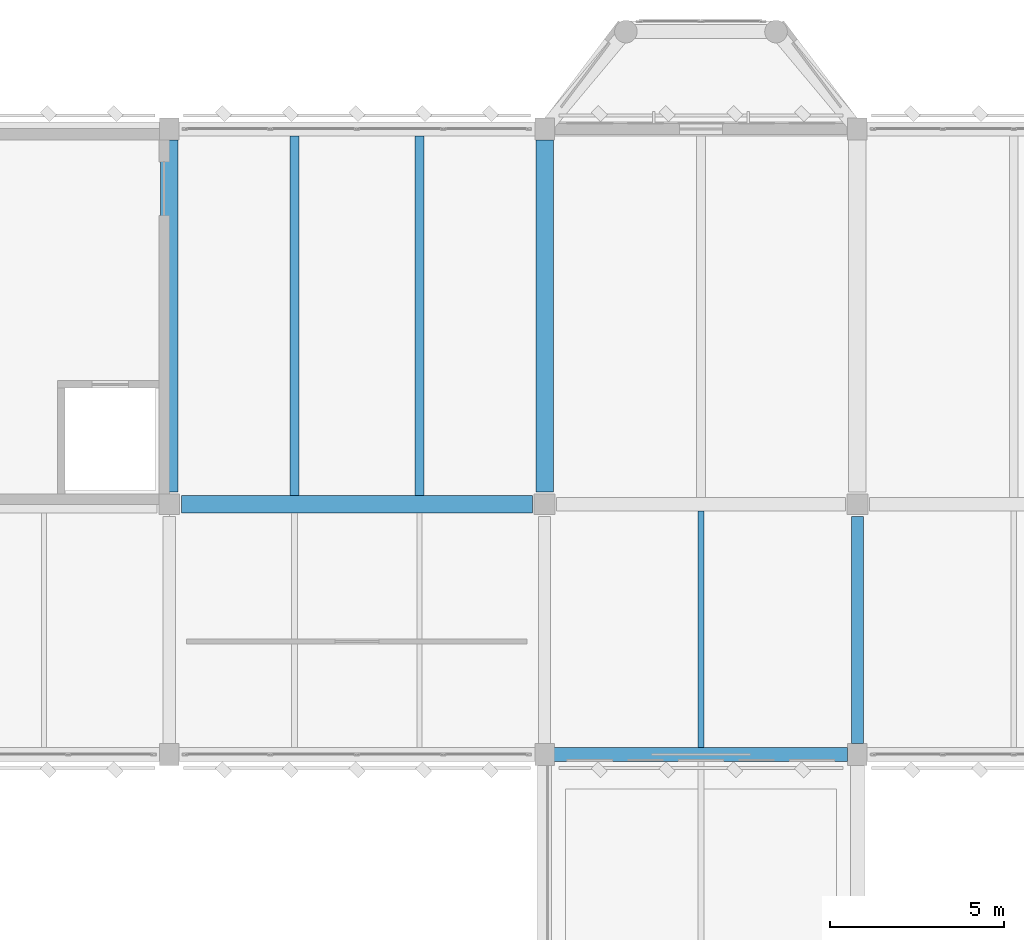
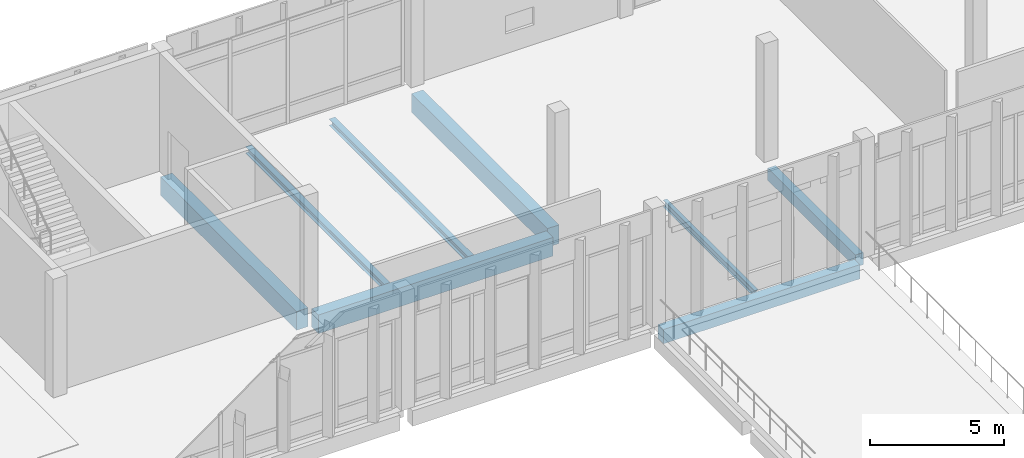
# One storey, part 82 of 180: 8 beams.
"""IFC4 building model written with IfcOpenShell, lengths in metres."""

import ifcopenshell
import ifcopenshell.guid

model = None  # the IFC model being written
_history = None  # IfcOwnerHistory: only IFC2X3 demands one
_inside = {}  # id of a spatial element -> (the spatial element, [elements in it])
_under = {}  # id of a project, library or spatial element -> (it, [spatial elements below it])
_declared = {}  # id of a project -> (the project, [libraries it declares])
_typed = {}  # id of a type object -> (the type object, [elements of that type])
_made_of = {}  # id of a material, layer set ... -> (it, [elements and type objects made of it])


def new_model(schema):
    """Start an empty IFC model of exactly this schema.

    Asked for "IFC4X3", IfcOpenShell would pick the latest addendum, in which some entities
    have other attributes; the version numbers below select the first issue.
    IFC2X3 requires an IfcOwnerHistory on every rooted entity: one is made here for all.
    """
    global model, _history
    if schema == "IFC4X3":
        model = ifcopenshell.file(schema_version=(4, 3, 0, 0))
    else:
        model = ifcopenshell.file(schema=schema)
    _inside.clear()
    _under.clear()
    _declared.clear()
    _typed.clear()
    _made_of.clear()
    _history = None
    if model.schema == "IFC2X3":
        org = make("IfcOrganization", Name="unknown")
        user = make(
            "IfcPersonAndOrganization",
            ThePerson=make("IfcPerson", FamilyName="unknown"),
            TheOrganization=org,
        )
        app = make(
            "IfcApplication",
            ApplicationDeveloper=org,
            Version="unknown",
            ApplicationFullName="unknown",
            ApplicationIdentifier="unknown",
        )
        _history = make(
            "IfcOwnerHistory",
            OwningUser=user,
            OwningApplication=app,
            ChangeAction="ADDED",
            CreationDate=0,
        )
    return model


def make(cls, **values):
    """One entity of the class cls with the attributes given. An attribute that is None is left unset."""
    return model.create_entity(
        cls, **{name: value for name, value in values.items() if value is not None}
    )


def rooted(cls, **values):
    """An entity with a GlobalId (a new one), such as an element, a storey or a relation."""
    return make(cls, GlobalId=ifcopenshell.guid.new(), OwnerHistory=_history, **values)


def si_unit(unit_type, name, prefix=None):
    """IfcSIUnit, for example si_unit("LENGTHUNIT", "METRE", prefix="MILLI")."""
    return make("IfcSIUnit", UnitType=unit_type, Prefix=prefix, Name=name)


def assignment(units):
    """IfcUnitAssignment: the units of a project."""
    return None if units is None else make("IfcUnitAssignment", Units=units)


def point(xyz):
    """IfcCartesianPoint."""
    return None if xyz is None else make("IfcCartesianPoint", Coordinates=xyz)


def direction(xyz):
    """IfcDirection."""
    return None if xyz is None else make("IfcDirection", DirectionRatios=xyz)


def frame(location, z_axis=None, x_axis=None):
    """IfcAxis2Placement3D, a coordinate frame: its origin and axes. An axis left out is left unset."""
    return make(
        "IfcAxis2Placement3D",
        Location=point(location),
        Axis=direction(z_axis),
        RefDirection=direction(x_axis),
    )


def frame_2d(location, x_axis=None):
    """IfcAxis2Placement2D, a coordinate frame in the plane: its origin and x axis."""
    return make(
        "IfcAxis2Placement2D", Location=point(location), RefDirection=direction(x_axis)
    )


def origin():
    """The frame at (0, 0, 0) with its axes left unset."""
    return frame((0.0, 0.0, 0.0))


def origin_2d():
    """The frame at (0, 0) in the plane with its x axis left unset."""
    return frame_2d((0.0, 0.0))


def place(relative_to, where):
    """IfcLocalPlacement: puts the frame where relative to a parent placement (None: the world)."""
    return make(
        "IfcLocalPlacement", PlacementRelTo=relative_to, RelativePlacement=where
    )


def context(
    kind, dimensions, precision=None, world=None, true_north=None, identifier=None
):
    """IfcGeometricRepresentationContext, for example the 3D "Model" context."""
    return make(
        "IfcGeometricRepresentationContext",
        ContextIdentifier=identifier,
        ContextType=kind,
        CoordinateSpaceDimension=dimensions,
        Precision=precision,
        WorldCoordinateSystem=world,
        TrueNorth=true_north,
    )


def subcontext(parent, identifier, kind, view, scale=None):
    """IfcGeometricRepresentationSubContext, for example "Body" below "Model"."""
    return make(
        "IfcGeometricRepresentationSubContext",
        ContextIdentifier=identifier,
        ContextType=kind,
        ParentContext=parent,
        TargetScale=scale,
        TargetView=view,
    )


def project(units=None, contexts=None):
    """IfcProject with its units and contexts."""
    return rooted(
        "IfcProject",
        Name="project",
        RepresentationContexts=contexts,
        UnitsInContext=assignment(units),
    )


def spatial(cls, under=None, at=None, **own):
    """A site, building, storey or space (cls), placed at a placement, below another one or the project."""
    s = rooted(cls, ObjectPlacement=at, **own)
    if under is not None:
        _under.setdefault(under.id(), (under, []))[1].append(s)
    return s


def profile(cls, at=None, kind="AREA", **sizes):
    """A parametric profile (cls). Its sizes go by their IFC names, for example OverallWidth=200.0."""
    return make(cls, ProfileType=kind, Position=at, **sizes)


def rectangle(**sizes):
    """IfcRectangleProfileDef."""
    return profile("IfcRectangleProfileDef", **sizes)


def i_section(**sizes):
    """IfcIShapeProfileDef."""
    return profile("IfcIShapeProfileDef", **sizes)


def extrude(swept, where, along, depth):
    """IfcExtrudedAreaSolid: the profile swept, set in the frame where, extruded along a direction by depth."""
    return make(
        "IfcExtrudedAreaSolid",
        SweptArea=swept,
        Position=where,
        ExtrudedDirection=direction(along),
        Depth=depth,
    )


def shape(context_of_items, identifier, shape_type, items):
    """IfcShapeRepresentation: the items that make up one representation, for example the "Body"."""
    return make(
        "IfcShapeRepresentation",
        ContextOfItems=context_of_items,
        RepresentationIdentifier=identifier,
        RepresentationType=shape_type,
        Items=items,
    )


def material(Name=None, Category=None):
    """IfcMaterial."""
    return make("IfcMaterial", Name=Name, Category=Category)


def material_profile(
    of_material, cross_section, Name=None, Category=None, Priority=None
):
    """IfcMaterialProfile: a cross section and its material."""
    return make(
        "IfcMaterialProfile",
        Name=Name,
        Material=of_material,
        Profile=cross_section,
        Priority=Priority,
        Category=Category,
    )


def profile_set(profiles, Name=None, composite=None):
    """IfcMaterialProfileSet."""
    return make(
        "IfcMaterialProfileSet",
        Name=Name,
        MaterialProfiles=profiles,
        CompositeProfile=composite,
    )


def made_of(thing, what):
    """Note that an element or type object is made of a material, layer set ...; save() writes the relation."""
    if what is not None:
        _made_of.setdefault(what.id(), (what, []))[1].append(thing)
    return thing


def type_object(cls, material=None, **own):
    """A type object (cls), such as IfcWallType, which elements share."""
    return made_of(rooted(cls, **own), material)


def element(
    cls,
    number,
    at=None,
    inside=None,
    cuts=None,
    type_object=None,
    material=None,
    context=None,
    identifier="Body",
    shape_type=None,
    held_by="IfcProductDefinitionShape",
    body=None,
    shapes=None,
    **own,
):
    """One element of the class cls, such as IfcWall. Its Tag is "e" and its number.

    at: its placement. inside: the storey or other place that contains it. cuts: it is an
    opening in that element (IfcRelVoidsElement). A single representation is given by context,
    identifier, shape_type and body (its items); several are given by shapes. held_by: the class
    of the entity that holds the representations. save() writes the other relations.
    """
    e = rooted(cls, Tag="e%d" % number, ObjectPlacement=at, **own)
    if body is not None:
        shapes = [shape(context, identifier, shape_type, body)]
    if shapes is not None:
        e.Representation = make(held_by, Representations=shapes)
    if inside is not None:
        _inside.setdefault(inside.id(), (inside, []))[1].append(e)
    if cuts is not None:
        rooted(
            "IfcRelVoidsElement", RelatingBuildingElement=cuts, RelatedOpeningElement=e
        )
    if type_object is not None:
        _typed.setdefault(type_object.id(), (type_object, []))[1].append(e)
    return made_of(e, material)


def aggregate(whole, parts):
    """IfcRelAggregates: a whole, such as a stair, and the parts it consists of."""
    return rooted("IfcRelAggregates", RelatingObject=whole, RelatedObjects=parts)


def save(model, path):
    """Write the relations noted so far, then the file.

    IfcRelAggregates (storeys below a building ...), IfcRelContainedInSpatialStructure (elements
    in a storey), IfcRelDefinesByType, IfcRelAssociatesMaterial and IfcRelDeclares: one each for
    every whole, place, type object, material and project.
    """
    for whole, parts in _under.values():
        aggregate(whole, parts)
    for where, things in _inside.values():
        rooted(
            "IfcRelContainedInSpatialStructure",
            RelatedElements=things,
            RelatingStructure=where,
        )
    for kind, things in _typed.values():
        rooted("IfcRelDefinesByType", RelatedObjects=things, RelatingType=kind)
    for what, things in _made_of.values():
        rooted("IfcRelAssociatesMaterial", RelatedObjects=things, RelatingMaterial=what)
    for by, libraries in _declared.values():
        rooted("IfcRelDeclares", RelatingContext=by, RelatedDefinitions=libraries)
    model.write(path)


model = new_model("IFC4")

# Units and contexts
model_context = context("Model", 3, precision=1e-05, world=origin(), true_north=direction((0.0, 1.0)))
body_context = subcontext(model_context, "Body", "Model", "MODEL_VIEW")
ifc_project = project(units=[si_unit("LENGTHUNIT", "METRE"), si_unit("AREAUNIT", "SQUARE_METRE"), si_unit("VOLUMEUNIT", "CUBIC_METRE"), si_unit("PLANEANGLEUNIT", "RADIAN"), si_unit("MASSUNIT", "GRAM", prefix="KILO")], contexts=[model_context])

# Site, building, storey
site_placement = place(None, origin())
site = spatial("IfcSite", under=ifc_project, at=site_placement, CompositionType="ELEMENT")
building_placement = place(site_placement, origin())
building = spatial("IfcBuilding", under=site, at=building_placement, Name="Lusvemor Sports Hall", CompositionType="ELEMENT")
storey_placement = place(building_placement, frame((0.0, 0.0, 5.39990234375)))
storey = spatial("IfcBuildingStorey", under=building, at=storey_placement, Name="L01", CompositionType="ELEMENT", Elevation=5.39990234375)

# Beams
ifc_material_1 = material(Name="Concrete C40/50", Category="concrete")
ifc_material_profile_1 = material_profile(ifc_material_1, rectangle(XDim=0.35009765625, YDim=0.550048828125, at=origin_2d()), Name="RC350x550")
ifc_profile_set_1 = profile_set([ifc_material_profile_1], Name="Concrete C40/50")
beam_type_1 = type_object("IfcBeamType", Name="BEAM_RC_550", PredefinedType="BEAM", material=ifc_profile_set_1)
beam_1_placement = place(storey_placement, frame((84.60009765625, 97.51611328125, -0.534912109375), z_axis=(0.0, 1.0, 0.0), x_axis=(-1.0, 0.0, 0.0)))
element("IfcBeam", 1, at=beam_1_placement, inside=storey, type_object=beam_type_1, Name="Beam L01 9:N-P", PredefinedType="BEAM", context=body_context, shape_type="SweptSolid", body=[
    extrude(rectangle(XDim=0.35009765625, YDim=0.550048828125, at=origin_2d()), origin(), (0.0, 0.0, 1.0), 6.537841796875),
])
ifc_material_2 = material(Name="Concrete C40/50", Category="concrete")
ifc_material_profile_2 = material_profile(ifc_material_2, rectangle(XDim=0.39990234375, YDim=0.64990234375, at=origin_2d()), Name="RC400x650")
ifc_profile_set_2 = profile_set([ifc_material_profile_2], Name="Concrete C40/50")
beam_type_2 = type_object("IfcBeamType", Name="BEAM_RC_650", PredefinedType="BEAM", material=ifc_profile_set_2)
beam_2_placement = place(storey_placement, frame((75.8759765625, 97.199951171875, -0.664794921875), z_axis=(1.0, 0.0, 0.0), x_axis=(0.0, 1.0, 0.0)))
element("IfcBeam", 2, at=beam_2_placement, inside=storey, type_object=beam_type_2, Name="Beam L01 N:8-9", PredefinedType="BEAM", context=body_context, shape_type="SweptSolid", body=[
    extrude(rectangle(XDim=0.39990234375, YDim=0.64990234375, at=origin_2d()), origin(), (0.0, 0.0, 1.0), 8.447998046875),
])
ifc_material_3 = material(Name="Concrete C40/50", Category="concrete")
ifc_material_profile_3 = material_profile(ifc_material_3, rectangle(XDim=0.5, YDim=0.85009765625, at=origin_2d()), Name="RC500x850")
ifc_profile_set_3 = profile_set([ifc_material_profile_3], Name="Concrete C40/50")
beam_type_3 = type_object("IfcBeamType", Name="GIRD_RC_850", PredefinedType="T_BEAM", material=ifc_profile_set_3)
beam_3_placement = place(storey_placement, frame((65.14599609375, 104.39990234375, -0.684814453125), z_axis=(1.0, 0.0, 0.0), x_axis=(0.0, 1.0, 0.0)))
element("IfcBeam", 3, at=beam_3_placement, inside=storey, type_object=beam_type_3, Name="Beam L01 P:7-8", PredefinedType="T_BEAM", context=body_context, shape_type="SweptSolid", body=[
    extrude(rectangle(XDim=0.5, YDim=0.85009765625, at=origin_2d()), origin(), (0.0, 0.0, 1.0), 10.10791015625),
])
for number, where, z_axis, x_axis, name in (
    (4, (64.800048828125, 104.74609375, -0.684814453125), (0.0, 1.0, 0.0), (-1.0, 0.0, 0.0), "Beam L01 7:P-Q"),
    (5, (75.60009765625, 104.74609375, -0.684814453125), (0.0, 1.0, 0.0), (-1.0, 0.0, 0.0), "Beam L01 8:P-Q"),
):
    element("IfcBeam", number, at=place(storey_placement, frame(where, z_axis=z_axis, x_axis=x_axis)), inside=storey, type_object=beam_type_3, Name=name, PredefinedType="T_BEAM", context=body_context, shape_type="SweptSolid", body=[
        extrude(rectangle(XDim=0.5, YDim=0.85009765625, at=origin_2d()), origin(), (0.0, 0.0, 1.0), 10.137939453125),
    ])
ifc_material_4 = material(Name="Steel S355", Category="steel")
ifc_material_profile_4 = material_profile(ifc_material_4, i_section(OverallWidth=0.25390625, OverallDepth=0.305908203125, WebThickness=0.0087890625, FlangeThickness=0.0146484375, FilletRadius=0.014892578125, at=origin_2d()), Name="W310x79.0")
ifc_profile_set_4 = profile_set([ifc_material_profile_4], Name="Steel S355")
beam_type_4 = type_object("IfcBeamType", Name="JOIST_ST_310H", PredefinedType="JOIST", material=ifc_profile_set_4)
for number, where, z_axis, x_axis, name in (
    (6, (68.39990234375, 104.64599609375, -0.4169921875), (0.0, 1.0, 0.0), (-1.0, 0.0, 0.0), "Secondary Joist L01 7-8/P-Q #1"),
    (7, (72.0, 104.64599609375, -0.4169921875), (0.0, 1.0, 0.0), (-1.0, 0.0, 0.0), "Secondary Joist L01 7-8/P-Q #2"),
):
    element("IfcBeam", number, at=place(storey_placement, frame(where, z_axis=z_axis, x_axis=x_axis)), inside=storey, type_object=beam_type_4, Name=name, PredefinedType="JOIST", context=body_context, shape_type="SweptSolid", body=[
        extrude(i_section(OverallWidth=0.25390625, OverallDepth=0.305908203125, WebThickness=0.0087890625, FlangeThickness=0.0146484375, FilletRadius=0.014892578125, at=origin_2d()), origin(), (0.0, 0.0, 1.0), 10.35791015625),
    ])
ifc_material_5 = material(Name="Steel S355", Category="steel")
ifc_material_profile_5 = material_profile(ifc_material_5, i_section(OverallWidth=0.1669921875, OverallDepth=0.31689453125, WebThickness=0.007568359375, FlangeThickness=0.01318359375, FilletRadius=0.014892578125, at=origin_2d()), Name="W310x52.0")
ifc_profile_set_5 = profile_set([ifc_material_profile_5], Name="Steel S355")
beam_type_5 = type_object("IfcBeamType", Name="JOIST_ST_310M", PredefinedType="JOIST", material=ifc_profile_set_5)
beam_4_placement = place(storey_placement, frame((80.10009765625, 97.39599609375, -0.42236328125), z_axis=(0.0, 1.0, 0.0), x_axis=(-1.0, 0.0, 0.0)))
element("IfcBeam", 8, at=beam_4_placement, inside=storey, type_object=beam_type_5, Name="Secondary Joist L01 8-9/N-P #1", PredefinedType="JOIST", context=body_context, shape_type="SweptSolid", body=[
    extrude(i_section(OverallWidth=0.1669921875, OverallDepth=0.31689453125, WebThickness=0.007568359375, FlangeThickness=0.01318359375, FilletRadius=0.014892578125, at=origin_2d()), origin(), (0.0, 0.0, 1.0), 6.80810546875),
])

save(model, "model.ifc")
